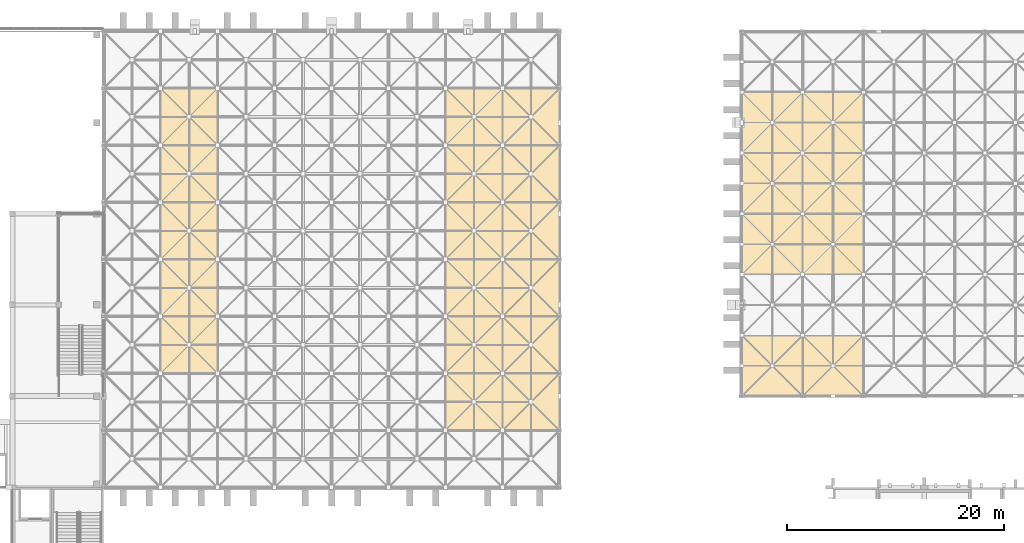
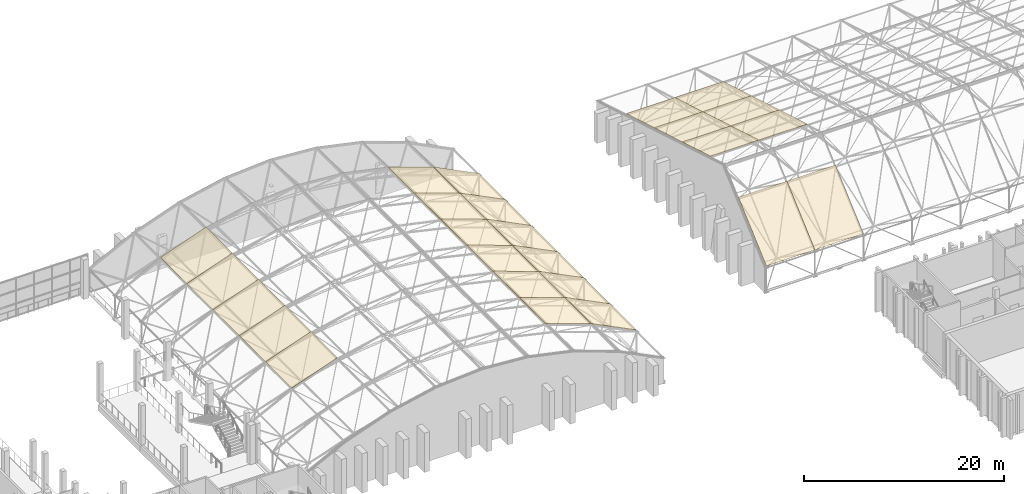
# One storey, part 95 of 100: 25 coverings.
"""IFC4 building model written with IfcOpenShell, lengths in metres."""

from ifc_helpers import new_model, si_unit, direction, frame, origin, place, context, subcontext, project, spatial, polyline, outline, extrude, material, layer, layer_set, type_object, element, save


model = new_model("IFC4")

# Units and contexts
model_context = context("Model", 3, precision=1e-05, world=origin(), true_north=direction((0.0, 1.0)))
body_context = subcontext(model_context, "Body", "Model", "MODEL_VIEW")
ifc_project = project(units=[si_unit("LENGTHUNIT", "METRE"), si_unit("AREAUNIT", "SQUARE_METRE"), si_unit("VOLUMEUNIT", "CUBIC_METRE"), si_unit("PLANEANGLEUNIT", "RADIAN"), si_unit("MASSUNIT", "GRAM", prefix="KILO")], contexts=[model_context])

# Site, building, storey
site_placement = place(None, origin())
site = spatial("IfcSite", under=ifc_project, at=site_placement, CompositionType="ELEMENT")
building_placement = place(site_placement, origin())
building = spatial("IfcBuilding", under=site, at=building_placement, Name="Kiln Court Media Centre", CompositionType="ELEMENT")
storey_placement = place(building_placement, frame((0.0, 0.0, 15.0)))
storey = spatial("IfcBuildingStorey", under=building, at=storey_placement, Name="L03", CompositionType="ELEMENT", Elevation=15.0)

# Coverings
ifc_material_1 = material(Name="Aluminium 3004 H34", Category="aluminium")
ifc_layer_1 = layer(ifc_material_1, 0.050048828125)
ifc_layer_set_1 = layer_set([ifc_layer_1], Name="Standing-seam aluminium roof panel 50")
covering_type_1 = type_object("IfcCoveringType", Name="Standing-seam aluminium roof panel 50", PredefinedType="ROOFING", material=ifc_layer_set_1)
covering_1_placement = place(storey_placement, frame((117.60009765625, 33.60009765625, 3.2138671875), z_axis=(0.0, -0.666025463167, 0.745929006282), x_axis=(0.0, 0.745929006282, 0.666025463167)))
element("IfcCovering", 1, at=covering_1_placement, inside=storey, type_object=covering_type_1, Name="V2 roof panel 1.1", PredefinedType="ROOFING", context=body_context, shape_type="SweptSolid", body=[
    extrude(outline(polyline([(0.0, 0.0), (7.507220484071164, 0.0), (7.507220484071164, -5.599853515625), (0.0, -5.599853515625), (0.0, 0.0)])), origin(), (0.0, 0.0, -1.0), 0.050048828125),
])
covering_2_placement = place(storey_placement, frame((123.199951171875, 33.60009765625, 3.2138671875), z_axis=(0.0, -0.666025463167, 0.745929006282), x_axis=(0.0, 0.745929006282, 0.666025463167)))
element("IfcCovering", 2, at=covering_2_placement, inside=storey, type_object=covering_type_1, Name="V2 roof panel 1.2", PredefinedType="ROOFING", context=body_context, shape_type="SweptSolid", body=[
    extrude(outline(polyline([(0.0, 0.0), (7.507220484071164, 0.0), (7.507220484071164, -5.60009765625), (0.0, -5.60009765625), (0.0, 0.0)])), origin(), (0.0, 0.0, -1.0), 0.050048828125),
])
covering_3_placement = place(storey_placement, frame((117.60009765625, 44.800048828125, 9.833251953125), z_axis=(0.0, 0.285273244649, 0.958446230045), x_axis=(0.0, 0.958446230045, -0.285273244649)))
element("IfcCovering", 3, at=covering_3_placement, inside=storey, type_object=covering_type_1, Name="V2 roof panel 4.1", PredefinedType="ROOFING", context=body_context, shape_type="SweptSolid", body=[
    extrude(outline(polyline([(0.0, 0.0), (5.842637114199316, 0.0), (5.842637114199316, -5.599853515625001), (0.0, -5.599853515625001), (0.0, 0.0)])), origin(), (0.0, 0.0, -1.0), 0.050048828125),
])
covering_4_placement = place(storey_placement, frame((123.199951171875, 44.800048828125, 9.833251953125), z_axis=(0.0, 0.285273244649, 0.958446230045), x_axis=(0.0, 0.958446230045, -0.285273244649)))
element("IfcCovering", 4, at=covering_4_placement, inside=storey, type_object=covering_type_1, Name="V2 roof panel 4.2", PredefinedType="ROOFING", context=body_context, shape_type="SweptSolid", body=[
    extrude(outline(polyline([(0.0, 0.0), (5.842637114199316, 0.0), (5.842637114199316, -5.600097656249999), (0.0, -5.600097656249999), (0.0, 0.0)])), origin(), (0.0, 0.0, -1.0), 0.050048828125),
])
covering_5_placement = place(storey_placement, frame((117.60009765625, 50.39990234375, 8.16650390625), z_axis=(0.0, 0.285261819988, 0.958449630422), x_axis=(0.0, 0.958449630422, -0.285261819988)))
element("IfcCovering", 5, at=covering_5_placement, inside=storey, type_object=covering_type_1, Name="V2 roof panel 5.1", PredefinedType="ROOFING", context=body_context, shape_type="SweptSolid", body=[
    extrude(outline(polyline([(0.0, 0.0), (5.8428711102760404, 0.0), (5.8428711102760404, -5.599853515625), (0.0, -5.599853515625), (0.0, 0.0)])), origin(), (0.0, 0.0, -1.0), 0.050048828125),
])
covering_6_placement = place(storey_placement, frame((123.199951171875, 50.39990234375, 8.16650390625), z_axis=(0.0, 0.285261819988, 0.958449630422), x_axis=(0.0, 0.958449630422, -0.285261819988)))
element("IfcCovering", 6, at=covering_6_placement, inside=storey, type_object=covering_type_1, Name="V2 roof panel 5.2", PredefinedType="ROOFING", context=body_context, shape_type="SweptSolid", body=[
    extrude(outline(polyline([(0.0, 0.0), (5.8428711102760404, 0.0), (5.8428711102760404, -5.60009765625), (0.0, -5.60009765625), (0.0, 0.0)])), origin(), (0.0, 0.0, -1.0), 0.050048828125),
])
covering_7_placement = place(storey_placement, frame((117.60009765625, 56.0, 6.499755859375), z_axis=(0.0, 0.285223435116, 0.958461054013), x_axis=(0.0, 0.958461054013, -0.285223435116)))
element("IfcCovering", 7, at=covering_7_placement, inside=storey, type_object=covering_type_1, Name="V2 roof panel 6.1", PredefinedType="ROOFING", context=body_context, shape_type="SweptSolid", body=[
    extrude(outline(polyline([(0.0, 0.0), (5.8428014709626455, 0.0), (5.8428014709626455, -5.599853515625), (0.0, -5.599853515625), (0.0, 0.0)])), origin(), (0.0, 0.0, -1.0), 0.050048828125),
])
covering_8_placement = place(storey_placement, frame((123.199951171875, 56.0, 6.499755859375), z_axis=(0.0, 0.285223435116, 0.958461054013), x_axis=(0.0, 0.958461054013, -0.285223435116)))
element("IfcCovering", 8, at=covering_8_placement, inside=storey, type_object=covering_type_1, Name="V2 roof panel 6.2", PredefinedType="ROOFING", context=body_context, shape_type="SweptSolid", body=[
    extrude(outline(polyline([(0.0, 0.0), (5.8428014709626455, 0.0), (5.8428014709626455, -5.60009765625), (0.0, -5.60009765625), (0.0, 0.0)])), origin(), (0.0, 0.0, -1.0), 0.050048828125),
])
ifc_material_2 = material(Name="Aluminium 3004 H34", Category="aluminium")
ifc_layer_2 = layer(ifc_material_2, 0.06005859375)
ifc_layer_set_2 = layer_set([ifc_layer_2], Name="Standing-seam aluminium roof panel 60")
covering_type_2 = type_object("IfcCoveringType", Name="Standing-seam aluminium roof panel 60", PredefinedType="ROOFING", material=ifc_layer_set_2)
for number, where, z_axis, x_axis, name in (
    (9, (64.050048828125, 35.699951171875, 5.804931640625), (-0.336336396998, 0.0, 0.941741911595), (0.941741911595, 0.0, 0.336336396998), "V1 roof panel 2.3"),
    (10, (64.050048828125, 40.949951171875, 5.804931640625), (-0.336336396998, 0.0, 0.941741911595), (0.941741911595, 0.0, 0.336336396998), "V1 roof panel 2.4"),
    (11, (64.050048828125, 46.199951171875, 5.804931640625), (-0.336336396998, 0.0, 0.941741911595), (0.941741911595, 0.0, 0.336336396998), "V1 roof panel 2.5"),
    (12, (64.050048828125, 51.449951171875, 5.804931640625), (-0.336336396998, 0.0, 0.941741911595), (0.941741911595, 0.0, 0.336336396998), "V1 roof panel 2.6"),
    (13, (64.050048828125, 56.699951171875, 5.804931640625), (-0.336336396998, 0.0, 0.941741911595), (0.941741911595, 0.0, 0.336336396998), "V1 roof panel 2.7"),
    (14, (90.300048828125, 30.449951171875, 7.679931640625), (0.336336396998, 0.0, 0.941741911595), (0.941741911595, 0.0, -0.336336396998), "V1 roof panel 7.2"),
    (15, (90.300048828125, 35.699951171875, 7.679931640625), (0.336336396998, 0.0, 0.941741911595), (0.941741911595, 0.0, -0.336336396998), "V1 roof panel 7.3"),
    (16, (90.300048828125, 40.949951171875, 7.679931640625), (0.336336396998, 0.0, 0.941741911595), (0.941741911595, 0.0, -0.336336396998), "V1 roof panel 7.4"),
    (17, (90.300048828125, 46.199951171875, 7.679931640625), (0.336336396998, 0.0, 0.941741911595), (0.941741911595, 0.0, -0.336336396998), "V1 roof panel 7.5"),
    (18, (90.300048828125, 51.449951171875, 7.679931640625), (0.336336396998, 0.0, 0.941741911595), (0.941741911595, 0.0, -0.336336396998), "V1 roof panel 7.6"),
    (19, (90.300048828125, 56.699951171875, 7.679931640625), (0.336336396998, 0.0, 0.941741911595), (0.941741911595, 0.0, -0.336336396998), "V1 roof panel 7.7"),
):
    element("IfcCovering", number, at=place(storey_placement, frame(where, z_axis=z_axis, x_axis=x_axis)), inside=storey, type_object=covering_type_2, Name=name, PredefinedType="ROOFING", context=body_context, shape_type="SweptSolid", body=[
        extrude(outline(polyline([(0.0, 0.0), (5.5747757802444395, 0.0), (5.5747757802444395, 5.25), (0.0, 5.25), (0.0, 0.0)])), origin(), (0.0, 0.0, -1.0), 0.06005859375),
    ])
for number, where, z_axis, x_axis, name in (
    (20, (95.550048828125, 30.449951171875, 5.828857421875), (0.4472135955, 0.0, 0.894427191), (0.894427191, 0.0, -0.4472135955), "V1 roof panel 8.2"),
    (21, (95.550048828125, 35.699951171875, 5.828857421875), (0.4472135955, 0.0, 0.894427191), (0.894427191, 0.0, -0.4472135955), "V1 roof panel 8.3"),
    (22, (95.550048828125, 40.949951171875, 5.828857421875), (0.4472135955, 0.0, 0.894427191), (0.894427191, 0.0, -0.4472135955), "V1 roof panel 8.4"),
    (23, (95.550048828125, 46.199951171875, 5.828857421875), (0.4472135955, 0.0, 0.894427191), (0.894427191, 0.0, -0.4472135955), "V1 roof panel 8.5"),
    (24, (95.550048828125, 51.449951171875, 5.828857421875), (0.4472135955, 0.0, 0.894427191), (0.894427191, 0.0, -0.4472135955), "V1 roof panel 8.6"),
    (25, (95.550048828125, 56.699951171875, 5.828857421875), (0.4472135955, 0.0, 0.894427191), (0.894427191, 0.0, -0.4472135955), "V1 roof panel 8.7"),
):
    element("IfcCovering", number, at=place(storey_placement, frame(where, z_axis=z_axis, x_axis=x_axis)), inside=storey, type_object=covering_type_2, Name=name, PredefinedType="ROOFING", context=body_context, shape_type="SweptSolid", body=[
        extrude(outline(polyline([(0.0, 0.0), (5.869678440936949, 0.0), (5.869678440936949, 5.25), (0.0, 5.25), (0.0, 0.0)])), origin(), (0.0, 0.0, -1.0), 0.06005859375),
    ])

save(model, "model.ifc")
